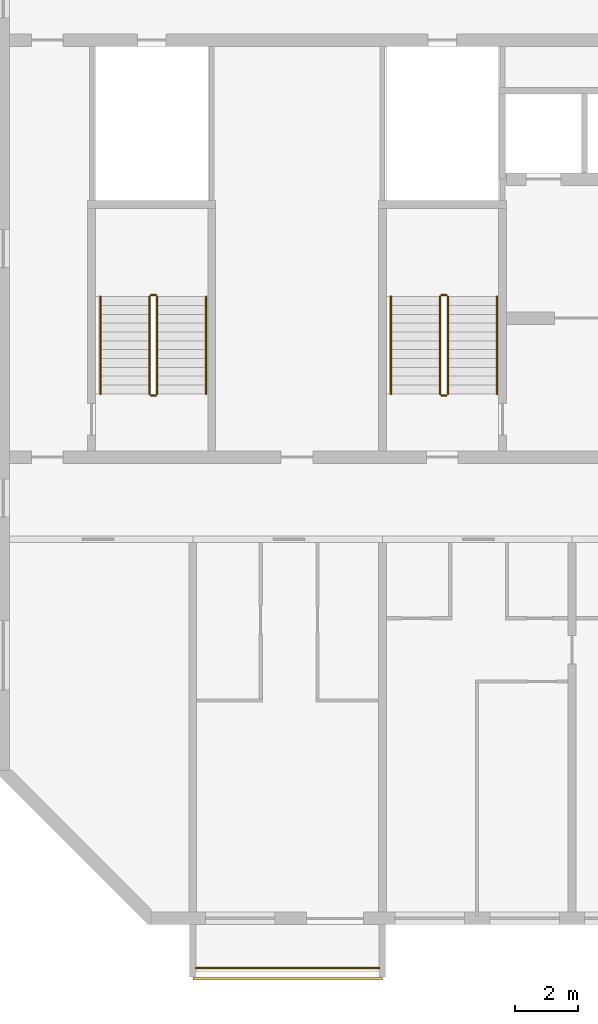
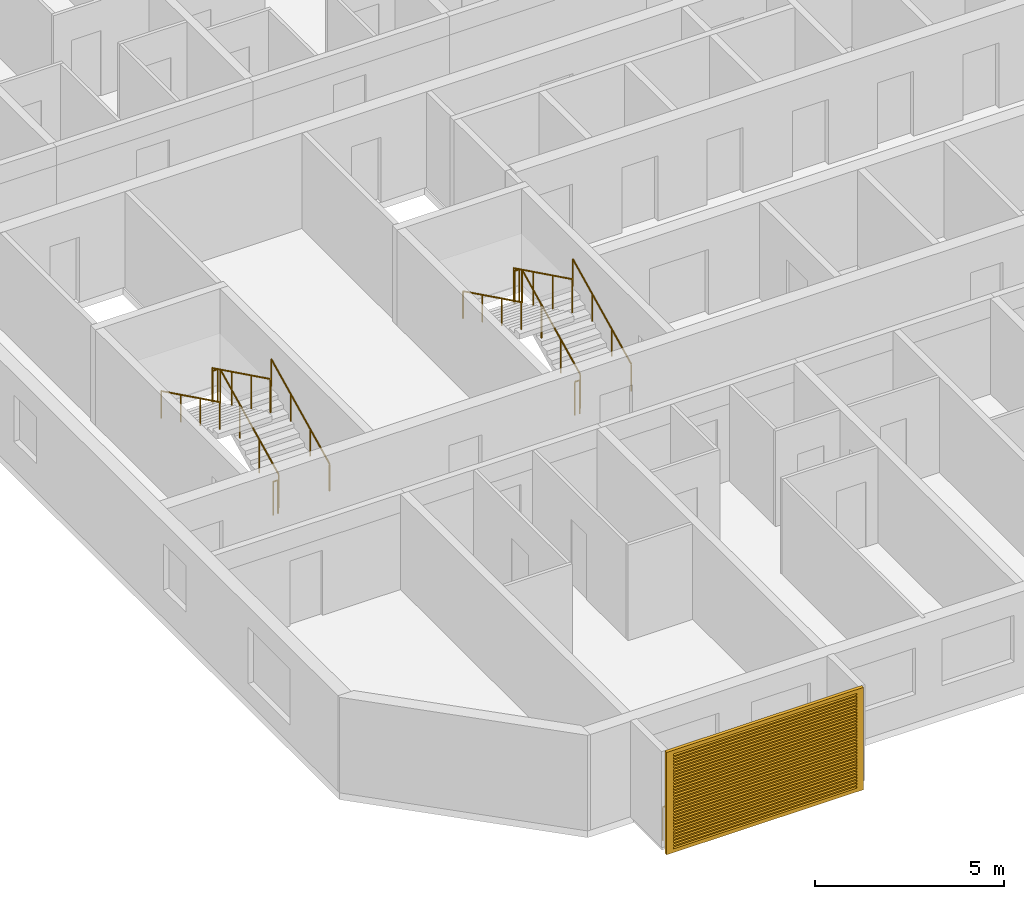
# One storey, part 13 of 28: 13 railings, 1 shading device.
"""IFC4 building model written with IfcOpenShell, lengths in metres."""

from ifc_helpers import new_model, si_unit, direction, frame, origin, origin_2d, place, context, subcontext, project, spatial, polyline, circle, outline, extrude, source, transform, mapped, material, material_profile, profile_set, type_object, element, save


model = new_model("IFC4")

# Units and contexts
model_context = context("Model", 3, precision=1e-05, world=origin(), true_north=direction((0.0, 1.0)))
body_context = subcontext(model_context, "Body", "Model", "MODEL_VIEW")
ifc_project = project(units=[si_unit("LENGTHUNIT", "METRE"), si_unit("AREAUNIT", "SQUARE_METRE"), si_unit("VOLUMEUNIT", "CUBIC_METRE"), si_unit("PLANEANGLEUNIT", "RADIAN"), si_unit("MASSUNIT", "GRAM", prefix="KILO")], contexts=[model_context])

# Site, building, storey
site_placement = place(None, origin())
site = spatial("IfcSite", under=ifc_project, at=site_placement, CompositionType="ELEMENT")
building_placement = place(site_placement, origin())
building = spatial("IfcBuilding", under=site, at=building_placement, Name="Poui Terraces", CompositionType="ELEMENT")
storey_placement = place(building_placement, frame((0.0, 0.0, 181.800048828125)))
storey = spatial("IfcBuildingStorey", under=building, at=storey_placement, Name="L50", CompositionType="ELEMENT", Elevation=181.800048828125)

# Railings
ifc_material_1 = material(Name="Painted steel fretwork", Category="steel")
railing_type_1 = type_object("IfcRailingType", Name="BALCONY GUARD 1100", PredefinedType="GUARDRAIL", material=ifc_material_1)
railing_1_placement = place(storey_placement, frame((24.10009765625, -1.570068359375, 0.0)))
element("IfcRailing", 1, at=railing_1_placement, inside=storey, type_object=railing_type_1, Name="BALCONY GUARD", PredefinedType="GUARDRAIL", context=body_context, shape_type="SweptSolid", body=[
    extrude(circle(Radius=0.02392578125, at=origin_2d()), frame((0.0, 0.0, 1.076171875), z_axis=(1.0, 0.0, 0.0), x_axis=(0.0, 1.0, 0.0)), (0.0, 0.0, 1.0), 5.7998046875),
    extrude(circle(Radius=0.02099609375, at=origin_2d()), origin(), (0.0, 0.0, 1.0), 1.052001953125),
    extrude(circle(Radius=0.02099609375, at=origin_2d()), frame((0.966552734375, 0.0, 0.0)), (0.0, 0.0, 1.0), 1.052001953125),
    extrude(circle(Radius=0.02099609375, at=origin_2d()), frame((1.933349609375, 0.0, 0.0)), (0.0, 0.0, 1.0), 1.052001953125),
    extrude(circle(Radius=0.02099609375, at=origin_2d()), frame((2.89990234375, 0.0, 0.0)), (0.0, 0.0, 1.0), 1.052001953125),
    extrude(circle(Radius=0.02099609375, at=origin_2d()), frame((3.866455078125, 0.0, 0.0)), (0.0, 0.0, 1.0), 1.052001953125),
    extrude(circle(Radius=0.02099609375, at=origin_2d()), frame((4.833251953125, 0.0, 0.0)), (0.0, 0.0, 1.0), 1.052001953125),
    extrude(circle(Radius=0.02099609375, at=origin_2d()), frame((5.7998046875, 0.0, 0.0)), (0.0, 0.0, 1.0), 1.052001953125),
])
ifc_material_2 = material(Name="Galvanised steel balustrade", Category="steel")
railing_type_2 = type_object("IfcRailingType", Name="STAIR GUARD 1100", PredefinedType="GUARDRAIL", material=ifc_material_2)
railing_2_placement = place(storey_placement, frame((32.074951171875, 16.60009765625, 0.137451171875)))
element("IfcRailing", 2, at=railing_2_placement, inside=storey, type_object=railing_type_2, Name="L50 ST-CW stair guard 1", PredefinedType="GUARDRAIL", context=body_context, shape_type="SweptSolid", body=[
    extrude(circle(Radius=0.02392578125, at=origin_2d()), frame((0.0, 0.0, 1.076171875), z_axis=(0.0, 0.897606190399, 0.440798283751), x_axis=(-1.0, 0.0, 0.0)), (0.0, 0.0, 1.0), 3.43115234375),
    extrude(circle(Radius=0.02099609375, at=origin_2d()), origin(), (0.0, 0.0, 1.0), 1.052001953125),
    extrude(circle(Radius=0.02099609375, at=origin_2d()), frame((0.0, 1.026611328125, 0.504150390625)), (0.0, 0.0, 1.0), 1.052001953125),
    extrude(circle(Radius=0.02099609375, at=origin_2d()), frame((0.0, 2.05322265625, 1.00830078125)), (0.0, 0.0, 1.0), 1.052001953125),
    extrude(circle(Radius=0.02099609375, at=origin_2d()), frame((0.0, 3.079833984375, 1.512451171875)), (0.0, 0.0, 1.0), 1.052001953125),
])
railing_3_placement = place(storey_placement, frame((32.02490234375, 19.72998046875, 1.64990234375)))
element("IfcRailing", 3, at=railing_3_placement, inside=storey, type_object=railing_type_2, Name="L50 ST-CW stair guard 2", PredefinedType="GUARDRAIL", context=body_context, shape_type="SweptSolid", body=[
    extrude(circle(Radius=0.02392578125, at=origin_2d()), frame((0.0, 0.0, 1.076171875), z_axis=(-1.0, 0.0, 0.0), x_axis=(0.0, -1.0, 0.0)), (0.0, 0.0, 1.0), 0.14990234375),
    extrude(circle(Radius=0.02099609375, at=origin_2d()), origin(), (0.0, 0.0, 1.0), 1.052001953125),
    extrude(circle(Radius=0.02099609375, at=origin_2d()), frame((-0.14990234375, 0.0, 0.0)), (0.0, 0.0, 1.0), 1.052001953125),
])
railing_4_placement = place(storey_placement, frame((31.824951171875, 19.679931640625, 1.787353515625)))
element("IfcRailing", 4, at=railing_4_placement, inside=storey, type_object=railing_type_2, Name="L50 ST-CW stair guard 3", PredefinedType="GUARDRAIL", context=body_context, shape_type="SweptSolid", body=[
    extrude(circle(Radius=0.02392578125, at=origin_2d()), frame((0.0, 0.0, 1.076171875), z_axis=(0.0, -0.897578036475, 0.440855609512), x_axis=(1.0, 0.0, 0.0)), (0.0, 0.0, 1.0), 3.43115234375),
    extrude(circle(Radius=0.02099609375, at=origin_2d()), origin(), (0.0, 0.0, 1.0), 1.052001953125),
    extrude(circle(Radius=0.02099609375, at=origin_2d()), frame((0.0, -1.026611328125, 0.504150390625)), (0.0, 0.0, 1.0), 1.052001953125),
    extrude(circle(Radius=0.02099609375, at=origin_2d()), frame((0.0, -2.05322265625, 1.008544921875)), (0.0, 0.0, 1.0), 1.052001953125),
    extrude(circle(Radius=0.02099609375, at=origin_2d()), frame((0.0, -3.079833984375, 1.5126953125)), (0.0, 0.0, 1.0), 1.052001953125),
])
railing_5_placement = place(storey_placement, frame((32.02490234375, 16.550048828125, 0.0)))
element("IfcRailing", 5, at=railing_5_placement, inside=storey, type_object=railing_type_2, Name="L50 ST-CW stair guard 4", PredefinedType="GUARDRAIL", context=body_context, shape_type="SweptSolid", body=[
    extrude(circle(Radius=0.02392578125, at=origin_2d()), frame((0.0, 0.0, 1.076171875), z_axis=(-1.0, 0.0, 0.0), x_axis=(0.0, -1.0, 0.0)), (0.0, 0.0, 1.0), 0.14990234375),
    extrude(circle(Radius=0.02099609375, at=origin_2d()), origin(), (0.0, 0.0, 1.0), 1.052001953125),
    extrude(circle(Radius=0.02099609375, at=origin_2d()), frame((-0.14990234375, 0.0, 0.0)), (0.0, 0.0, 1.0), 1.052001953125),
])
railing_6_placement = place(storey_placement, frame((22.875, 16.60009765625, 0.137451171875)))
element("IfcRailing", 6, at=railing_6_placement, inside=storey, type_object=railing_type_2, Name="L50 ST-W stair guard 1", PredefinedType="GUARDRAIL", context=body_context, shape_type="SweptSolid", body=[
    extrude(circle(Radius=0.02392578125, at=origin_2d()), frame((0.0, 0.0, 1.076171875), z_axis=(0.0, 0.897606190399, 0.440798283751), x_axis=(-1.0, 0.0, 0.0)), (0.0, 0.0, 1.0), 3.43115234375),
    extrude(circle(Radius=0.02099609375, at=origin_2d()), origin(), (0.0, 0.0, 1.0), 1.052001953125),
    extrude(circle(Radius=0.02099609375, at=origin_2d()), frame((0.0, 1.026611328125, 0.504150390625)), (0.0, 0.0, 1.0), 1.052001953125),
    extrude(circle(Radius=0.02099609375, at=origin_2d()), frame((0.0, 2.05322265625, 1.00830078125)), (0.0, 0.0, 1.0), 1.052001953125),
    extrude(circle(Radius=0.02099609375, at=origin_2d()), frame((0.0, 3.079833984375, 1.512451171875)), (0.0, 0.0, 1.0), 1.052001953125),
])
railing_7_placement = place(storey_placement, frame((22.824951171875, 19.72998046875, 1.64990234375)))
element("IfcRailing", 7, at=railing_7_placement, inside=storey, type_object=railing_type_2, Name="L50 ST-W stair guard 2", PredefinedType="GUARDRAIL", context=body_context, shape_type="SweptSolid", body=[
    extrude(circle(Radius=0.02392578125, at=origin_2d()), frame((0.0, 0.0, 1.076171875), z_axis=(-1.0, 0.0, 0.0), x_axis=(0.0, -1.0, 0.0)), (0.0, 0.0, 1.0), 0.14990234375),
    extrude(circle(Radius=0.02099609375, at=origin_2d()), origin(), (0.0, 0.0, 1.0), 1.052001953125),
    extrude(circle(Radius=0.02099609375, at=origin_2d()), frame((-0.14990234375, 0.0, 0.0)), (0.0, 0.0, 1.0), 1.052001953125),
])
railing_8_placement = place(storey_placement, frame((22.625, 19.679931640625, 1.787353515625)))
element("IfcRailing", 8, at=railing_8_placement, inside=storey, type_object=railing_type_2, Name="L50 ST-W stair guard 3", PredefinedType="GUARDRAIL", context=body_context, shape_type="SweptSolid", body=[
    extrude(circle(Radius=0.02392578125, at=origin_2d()), frame((0.0, 0.0, 1.076171875), z_axis=(0.0, -0.897578036475, 0.440855609512), x_axis=(1.0, 0.0, 0.0)), (0.0, 0.0, 1.0), 3.43115234375),
    extrude(circle(Radius=0.02099609375, at=origin_2d()), origin(), (0.0, 0.0, 1.0), 1.052001953125),
    extrude(circle(Radius=0.02099609375, at=origin_2d()), frame((0.0, -1.026611328125, 0.504150390625)), (0.0, 0.0, 1.0), 1.052001953125),
    extrude(circle(Radius=0.02099609375, at=origin_2d()), frame((0.0, -2.05322265625, 1.008544921875)), (0.0, 0.0, 1.0), 1.052001953125),
    extrude(circle(Radius=0.02099609375, at=origin_2d()), frame((0.0, -3.079833984375, 1.5126953125)), (0.0, 0.0, 1.0), 1.052001953125),
])
railing_9_placement = place(storey_placement, frame((22.824951171875, 16.550048828125, 0.0)))
element("IfcRailing", 9, at=railing_9_placement, inside=storey, type_object=railing_type_2, Name="L50 ST-W stair guard 4", PredefinedType="GUARDRAIL", context=body_context, shape_type="SweptSolid", body=[
    extrude(circle(Radius=0.02392578125, at=origin_2d()), frame((0.0, 0.0, 1.076171875), z_axis=(-1.0, 0.0, 0.0), x_axis=(0.0, -1.0, 0.0)), (0.0, 0.0, 1.0), 0.14990234375),
    extrude(circle(Radius=0.02099609375, at=origin_2d()), origin(), (0.0, 0.0, 1.0), 1.052001953125),
    extrude(circle(Radius=0.02099609375, at=origin_2d()), frame((-0.14990234375, 0.0, 0.0)), (0.0, 0.0, 1.0), 1.052001953125),
])
ifc_material_3 = material(Name="Stainless steel handrail", Category="steel")
railing_type_3 = type_object("IfcRailingType", Name="STAIR HANDRAIL 900", PredefinedType="HANDRAIL", material=ifc_material_3)
railing_10_placement = place(storey_placement, frame((33.625, 16.60009765625, 0.137451171875)))
element("IfcRailing", 10, at=railing_10_placement, inside=storey, type_object=railing_type_3, Name="L50 ST-CW stair handrail 1", PredefinedType="HANDRAIL", context=body_context, shape_type="SweptSolid", body=[
    extrude(circle(Radius=0.02392578125, at=origin_2d()), frame((0.0, 0.0, 0.8759765625), z_axis=(0.0, 0.897606190399, 0.440798283751), x_axis=(-1.0, 0.0, 0.0)), (0.0, 0.0, 1.0), 3.43115234375),
    extrude(circle(Radius=0.02099609375, at=origin_2d()), origin(), (0.0, 0.0, 1.0), 0.851806640625),
    extrude(circle(Radius=0.02099609375, at=origin_2d()), frame((0.0, 1.026611328125, 0.504150390625)), (0.0, 0.0, 1.0), 0.851806640625),
    extrude(circle(Radius=0.02099609375, at=origin_2d()), frame((0.0, 2.05322265625, 1.00830078125)), (0.0, 0.0, 1.0), 0.851806640625),
    extrude(circle(Radius=0.02099609375, at=origin_2d()), frame((0.0, 3.079833984375, 1.512451171875)), (0.0, 0.0, 1.0), 0.851806640625),
])
railing_11_placement = place(storey_placement, frame((30.27490234375, 19.679931640625, 1.787353515625)))
element("IfcRailing", 11, at=railing_11_placement, inside=storey, type_object=railing_type_3, Name="L50 ST-CW stair handrail 2", PredefinedType="HANDRAIL", context=body_context, shape_type="SweptSolid", body=[
    extrude(circle(Radius=0.02392578125, at=origin_2d()), frame((0.0, 0.0, 0.8759765625), z_axis=(0.0, -0.897578036475, 0.440855609512), x_axis=(1.0, 0.0, 0.0)), (0.0, 0.0, 1.0), 3.43115234375),
    extrude(circle(Radius=0.02099609375, at=origin_2d()), origin(), (0.0, 0.0, 1.0), 0.851806640625),
    extrude(circle(Radius=0.02099609375, at=origin_2d()), frame((0.0, -1.026611328125, 0.504150390625)), (0.0, 0.0, 1.0), 0.851806640625),
    extrude(circle(Radius=0.02099609375, at=origin_2d()), frame((0.0, -2.05322265625, 1.008544921875)), (0.0, 0.0, 1.0), 0.851806640625),
    extrude(circle(Radius=0.02099609375, at=origin_2d()), frame((0.0, -3.079833984375, 1.5126953125)), (0.0, 0.0, 1.0), 0.851806640625),
])
railing_12_placement = place(storey_placement, frame((24.425048828125, 16.60009765625, 0.137451171875)))
element("IfcRailing", 12, at=railing_12_placement, inside=storey, type_object=railing_type_3, Name="L50 ST-W stair handrail 1", PredefinedType="HANDRAIL", context=body_context, shape_type="SweptSolid", body=[
    extrude(circle(Radius=0.02392578125, at=origin_2d()), frame((0.0, 0.0, 0.8759765625), z_axis=(0.0, 0.897606190399, 0.440798283751), x_axis=(-1.0, 0.0, 0.0)), (0.0, 0.0, 1.0), 3.43115234375),
    extrude(circle(Radius=0.02099609375, at=origin_2d()), origin(), (0.0, 0.0, 1.0), 0.851806640625),
    extrude(circle(Radius=0.02099609375, at=origin_2d()), frame((0.0, 1.026611328125, 0.504150390625)), (0.0, 0.0, 1.0), 0.851806640625),
    extrude(circle(Radius=0.02099609375, at=origin_2d()), frame((0.0, 2.05322265625, 1.00830078125)), (0.0, 0.0, 1.0), 0.851806640625),
    extrude(circle(Radius=0.02099609375, at=origin_2d()), frame((0.0, 3.079833984375, 1.512451171875)), (0.0, 0.0, 1.0), 0.851806640625),
])
railing_13_placement = place(storey_placement, frame((21.074951171875, 19.679931640625, 1.787353515625)))
element("IfcRailing", 13, at=railing_13_placement, inside=storey, type_object=railing_type_3, Name="L50 ST-W stair handrail 2", PredefinedType="HANDRAIL", context=body_context, shape_type="SweptSolid", body=[
    extrude(circle(Radius=0.02392578125, at=origin_2d()), frame((0.0, 0.0, 0.8759765625), z_axis=(0.0, -0.897578036475, 0.440855609512), x_axis=(1.0, 0.0, 0.0)), (0.0, 0.0, 1.0), 3.43115234375),
    extrude(circle(Radius=0.02099609375, at=origin_2d()), origin(), (0.0, 0.0, 1.0), 0.851806640625),
    extrude(circle(Radius=0.02099609375, at=origin_2d()), frame((0.0, -1.026611328125, 0.504150390625)), (0.0, 0.0, 1.0), 0.851806640625),
    extrude(circle(Radius=0.02099609375, at=origin_2d()), frame((0.0, -2.05322265625, 1.008544921875)), (0.0, 0.0, 1.0), 0.851806640625),
    extrude(circle(Radius=0.02099609375, at=origin_2d()), frame((0.0, -3.079833984375, 1.5126953125)), (0.0, 0.0, 1.0), 0.851806640625),
])

# Shading device
ifc_material_4 = material(Name="Aluminium louvre", Category="aluminium")
ifc_material_profile = material_profile(ifc_material_4, outline(polyline([(-3.0, -1.64990234375), (3.0, -1.64990234375), (3.0, 1.64990234375), (-3.0, 1.64990234375), (-3.0, -1.64990234375)]), holes=[polyline([(-2.800048828125, -1.530029296875), (2.800048828125, -1.530029296875), (2.800048828125, -1.469970703125), (-2.800048828125, -1.469970703125), (-2.800048828125, -1.530029296875)]), polyline([(-2.800048828125, -1.429931640625), (2.800048828125, -1.429931640625), (2.800048828125, -1.3701171875), (-2.800048828125, -1.3701171875), (-2.800048828125, -1.429931640625)]), polyline([(-2.800048828125, -1.330078125), (2.800048828125, -1.330078125), (2.800048828125, -1.27001953125), (-2.800048828125, -1.27001953125), (-2.800048828125, -1.330078125)]), polyline([(-2.800048828125, -1.22998046875), (2.800048828125, -1.22998046875), (2.800048828125, -1.169921875), (-2.800048828125, -1.169921875), (-2.800048828125, -1.22998046875)]), polyline([(-2.800048828125, -1.1298828125), (2.800048828125, -1.1298828125), (2.800048828125, -1.070068359375), (-2.800048828125, -1.070068359375), (-2.800048828125, -1.1298828125)]), polyline([(-2.800048828125, -1.030029296875), (2.800048828125, -1.030029296875), (2.800048828125, -0.969970703125), (-2.800048828125, -0.969970703125), (-2.800048828125, -1.030029296875)]), polyline([(-2.800048828125, -0.929931640625), (2.800048828125, -0.929931640625), (2.800048828125, -0.8701171875), (-2.800048828125, -0.8701171875), (-2.800048828125, -0.929931640625)]), polyline([(-2.800048828125, -0.830078125), (2.800048828125, -0.830078125), (2.800048828125, -0.77001953125), (-2.800048828125, -0.77001953125), (-2.800048828125, -0.830078125)]), polyline([(-2.800048828125, -0.72998046875), (2.800048828125, -0.72998046875), (2.800048828125, -0.669921875), (-2.800048828125, -0.669921875), (-2.800048828125, -0.72998046875)]), polyline([(-2.800048828125, -0.6298828125), (2.800048828125, -0.6298828125), (2.800048828125, -0.570068359375), (-2.800048828125, -0.570068359375), (-2.800048828125, -0.6298828125)]), polyline([(-2.800048828125, -0.530029296875), (2.800048828125, -0.530029296875), (2.800048828125, -0.469970703125), (-2.800048828125, -0.469970703125), (-2.800048828125, -0.530029296875)]), polyline([(-2.800048828125, -0.429931640625), (2.800048828125, -0.429931640625), (2.800048828125, -0.3701171875), (-2.800048828125, -0.3701171875), (-2.800048828125, -0.429931640625)]), polyline([(-2.800048828125, -0.330078125), (2.800048828125, -0.330078125), (2.800048828125, -0.27001953125), (-2.800048828125, -0.27001953125), (-2.800048828125, -0.330078125)]), polyline([(-2.800048828125, -0.22998046875), (2.800048828125, -0.22998046875), (2.800048828125, -0.169921875), (-2.800048828125, -0.169921875), (-2.800048828125, -0.22998046875)]), polyline([(-2.800048828125, -0.1298828125), (2.800048828125, -0.1298828125), (2.800048828125, -0.070068359375), (-2.800048828125, -0.070068359375), (-2.800048828125, -0.1298828125)]), polyline([(-2.800048828125, -0.030029296875), (2.800048828125, -0.030029296875), (2.800048828125, 0.030029296875), (-2.800048828125, 0.030029296875), (-2.800048828125, -0.030029296875)]), polyline([(-2.800048828125, 0.070068359375), (2.800048828125, 0.070068359375), (2.800048828125, 0.1298828125), (-2.800048828125, 0.1298828125), (-2.800048828125, 0.070068359375)]), polyline([(-2.800048828125, 0.169921875), (2.800048828125, 0.169921875), (2.800048828125, 0.22998046875), (-2.800048828125, 0.22998046875), (-2.800048828125, 0.169921875)]), polyline([(-2.800048828125, 0.27001953125), (2.800048828125, 0.27001953125), (2.800048828125, 0.330078125), (-2.800048828125, 0.330078125), (-2.800048828125, 0.27001953125)]), polyline([(-2.800048828125, 0.3701171875), (2.800048828125, 0.3701171875), (2.800048828125, 0.429931640625), (-2.800048828125, 0.429931640625), (-2.800048828125, 0.3701171875)]), polyline([(-2.800048828125, 0.469970703125), (2.800048828125, 0.469970703125), (2.800048828125, 0.530029296875), (-2.800048828125, 0.530029296875), (-2.800048828125, 0.469970703125)]), polyline([(-2.800048828125, 0.570068359375), (2.800048828125, 0.570068359375), (2.800048828125, 0.6298828125), (-2.800048828125, 0.6298828125), (-2.800048828125, 0.570068359375)]), polyline([(-2.800048828125, 0.669921875), (2.800048828125, 0.669921875), (2.800048828125, 0.72998046875), (-2.800048828125, 0.72998046875), (-2.800048828125, 0.669921875)]), polyline([(-2.800048828125, 0.77001953125), (2.800048828125, 0.77001953125), (2.800048828125, 0.830078125), (-2.800048828125, 0.830078125), (-2.800048828125, 0.77001953125)]), polyline([(-2.800048828125, 0.8701171875), (2.800048828125, 0.8701171875), (2.800048828125, 0.929931640625), (-2.800048828125, 0.929931640625), (-2.800048828125, 0.8701171875)]), polyline([(-2.800048828125, 0.969970703125), (2.800048828125, 0.969970703125), (2.800048828125, 1.030029296875), (-2.800048828125, 1.030029296875), (-2.800048828125, 0.969970703125)]), polyline([(-2.800048828125, 1.070068359375), (2.800048828125, 1.070068359375), (2.800048828125, 1.1298828125), (-2.800048828125, 1.1298828125), (-2.800048828125, 1.070068359375)]), polyline([(-2.800048828125, 1.169921875), (2.800048828125, 1.169921875), (2.800048828125, 1.22998046875), (-2.800048828125, 1.22998046875), (-2.800048828125, 1.169921875)]), polyline([(-2.800048828125, 1.27001953125), (2.800048828125, 1.27001953125), (2.800048828125, 1.330078125), (-2.800048828125, 1.330078125), (-2.800048828125, 1.27001953125)]), polyline([(-2.800048828125, 1.3701171875), (2.800048828125, 1.3701171875), (2.800048828125, 1.429931640625), (-2.800048828125, 1.429931640625), (-2.800048828125, 1.3701171875)]), polyline([(-2.800048828125, 1.469970703125), (2.800048828125, 1.469970703125), (2.800048828125, 1.530029296875), (-2.800048828125, 1.530029296875), (-2.800048828125, 1.469970703125)])]), Name="JALOUSIE LOUVRE SHUTTER 6000X3300")
ifc_profile_set = profile_set([ifc_material_profile], Name="Aluminium louvre")
shading_device_type = type_object("IfcShadingDeviceType", Name="JALOUSIE LOUVRE SHUTTER 6000X3300", PredefinedType="JALOUSIE", material=ifc_profile_set)
shared_shape = source(origin(), body_context, "Body", "SweptSolid", [
    extrude(outline(polyline([(-3.0, -1.64990234375), (3.0, -1.64990234375), (3.0, 1.64990234375), (-3.0, 1.64990234375), (-3.0, -1.64990234375)]), holes=[polyline([(-2.800048828125, -1.530029296875), (2.800048828125, -1.530029296875), (2.800048828125, -1.469970703125), (-2.800048828125, -1.469970703125), (-2.800048828125, -1.530029296875)]), polyline([(-2.800048828125, -1.429931640625), (2.800048828125, -1.429931640625), (2.800048828125, -1.3701171875), (-2.800048828125, -1.3701171875), (-2.800048828125, -1.429931640625)]), polyline([(-2.800048828125, -1.330078125), (2.800048828125, -1.330078125), (2.800048828125, -1.27001953125), (-2.800048828125, -1.27001953125), (-2.800048828125, -1.330078125)]), polyline([(-2.800048828125, -1.22998046875), (2.800048828125, -1.22998046875), (2.800048828125, -1.169921875), (-2.800048828125, -1.169921875), (-2.800048828125, -1.22998046875)]), polyline([(-2.800048828125, -1.1298828125), (2.800048828125, -1.1298828125), (2.800048828125, -1.070068359375), (-2.800048828125, -1.070068359375), (-2.800048828125, -1.1298828125)]), polyline([(-2.800048828125, -1.030029296875), (2.800048828125, -1.030029296875), (2.800048828125, -0.969970703125), (-2.800048828125, -0.969970703125), (-2.800048828125, -1.030029296875)]), polyline([(-2.800048828125, -0.929931640625), (2.800048828125, -0.929931640625), (2.800048828125, -0.8701171875), (-2.800048828125, -0.8701171875), (-2.800048828125, -0.929931640625)]), polyline([(-2.800048828125, -0.830078125), (2.800048828125, -0.830078125), (2.800048828125, -0.77001953125), (-2.800048828125, -0.77001953125), (-2.800048828125, -0.830078125)]), polyline([(-2.800048828125, -0.72998046875), (2.800048828125, -0.72998046875), (2.800048828125, -0.669921875), (-2.800048828125, -0.669921875), (-2.800048828125, -0.72998046875)]), polyline([(-2.800048828125, -0.6298828125), (2.800048828125, -0.6298828125), (2.800048828125, -0.570068359375), (-2.800048828125, -0.570068359375), (-2.800048828125, -0.6298828125)]), polyline([(-2.800048828125, -0.530029296875), (2.800048828125, -0.530029296875), (2.800048828125, -0.469970703125), (-2.800048828125, -0.469970703125), (-2.800048828125, -0.530029296875)]), polyline([(-2.800048828125, -0.429931640625), (2.800048828125, -0.429931640625), (2.800048828125, -0.3701171875), (-2.800048828125, -0.3701171875), (-2.800048828125, -0.429931640625)]), polyline([(-2.800048828125, -0.330078125), (2.800048828125, -0.330078125), (2.800048828125, -0.27001953125), (-2.800048828125, -0.27001953125), (-2.800048828125, -0.330078125)]), polyline([(-2.800048828125, -0.22998046875), (2.800048828125, -0.22998046875), (2.800048828125, -0.169921875), (-2.800048828125, -0.169921875), (-2.800048828125, -0.22998046875)]), polyline([(-2.800048828125, -0.1298828125), (2.800048828125, -0.1298828125), (2.800048828125, -0.070068359375), (-2.800048828125, -0.070068359375), (-2.800048828125, -0.1298828125)]), polyline([(-2.800048828125, -0.030029296875), (2.800048828125, -0.030029296875), (2.800048828125, 0.030029296875), (-2.800048828125, 0.030029296875), (-2.800048828125, -0.030029296875)]), polyline([(-2.800048828125, 0.070068359375), (2.800048828125, 0.070068359375), (2.800048828125, 0.1298828125), (-2.800048828125, 0.1298828125), (-2.800048828125, 0.070068359375)]), polyline([(-2.800048828125, 0.169921875), (2.800048828125, 0.169921875), (2.800048828125, 0.22998046875), (-2.800048828125, 0.22998046875), (-2.800048828125, 0.169921875)]), polyline([(-2.800048828125, 0.27001953125), (2.800048828125, 0.27001953125), (2.800048828125, 0.330078125), (-2.800048828125, 0.330078125), (-2.800048828125, 0.27001953125)]), polyline([(-2.800048828125, 0.3701171875), (2.800048828125, 0.3701171875), (2.800048828125, 0.429931640625), (-2.800048828125, 0.429931640625), (-2.800048828125, 0.3701171875)]), polyline([(-2.800048828125, 0.469970703125), (2.800048828125, 0.469970703125), (2.800048828125, 0.530029296875), (-2.800048828125, 0.530029296875), (-2.800048828125, 0.469970703125)]), polyline([(-2.800048828125, 0.570068359375), (2.800048828125, 0.570068359375), (2.800048828125, 0.6298828125), (-2.800048828125, 0.6298828125), (-2.800048828125, 0.570068359375)]), polyline([(-2.800048828125, 0.669921875), (2.800048828125, 0.669921875), (2.800048828125, 0.72998046875), (-2.800048828125, 0.72998046875), (-2.800048828125, 0.669921875)]), polyline([(-2.800048828125, 0.77001953125), (2.800048828125, 0.77001953125), (2.800048828125, 0.830078125), (-2.800048828125, 0.830078125), (-2.800048828125, 0.77001953125)]), polyline([(-2.800048828125, 0.8701171875), (2.800048828125, 0.8701171875), (2.800048828125, 0.929931640625), (-2.800048828125, 0.929931640625), (-2.800048828125, 0.8701171875)]), polyline([(-2.800048828125, 0.969970703125), (2.800048828125, 0.969970703125), (2.800048828125, 1.030029296875), (-2.800048828125, 1.030029296875), (-2.800048828125, 0.969970703125)]), polyline([(-2.800048828125, 1.070068359375), (2.800048828125, 1.070068359375), (2.800048828125, 1.1298828125), (-2.800048828125, 1.1298828125), (-2.800048828125, 1.070068359375)]), polyline([(-2.800048828125, 1.169921875), (2.800048828125, 1.169921875), (2.800048828125, 1.22998046875), (-2.800048828125, 1.22998046875), (-2.800048828125, 1.169921875)]), polyline([(-2.800048828125, 1.27001953125), (2.800048828125, 1.27001953125), (2.800048828125, 1.330078125), (-2.800048828125, 1.330078125), (-2.800048828125, 1.27001953125)]), polyline([(-2.800048828125, 1.3701171875), (2.800048828125, 1.3701171875), (2.800048828125, 1.429931640625), (-2.800048828125, 1.429931640625), (-2.800048828125, 1.3701171875)]), polyline([(-2.800048828125, 1.469970703125), (2.800048828125, 1.469970703125), (2.800048828125, 1.530029296875), (-2.800048828125, 1.530029296875), (-2.800048828125, 1.469970703125)])]), origin(), (0.0, 0.0, 1.0), 0.099853515625),
])
shading_device_placement = place(storey_placement, frame((27.0, -1.85009765625, 1.449951171875), z_axis=(0.0, -1.0, 0.0), x_axis=(1.0, 0.0, 0.0)))
element("IfcShadingDevice", 14, at=shading_device_placement, inside=storey, type_object=shading_device_type, Name="JALOUSIE LOUVRE SHUTTER", PredefinedType="JALOUSIE", context=body_context, shape_type="MappedRepresentation", body=[
    mapped(shared_shape, transform((0.0, 0.0, 0.0))),
])

save(model, "model.ifc")
